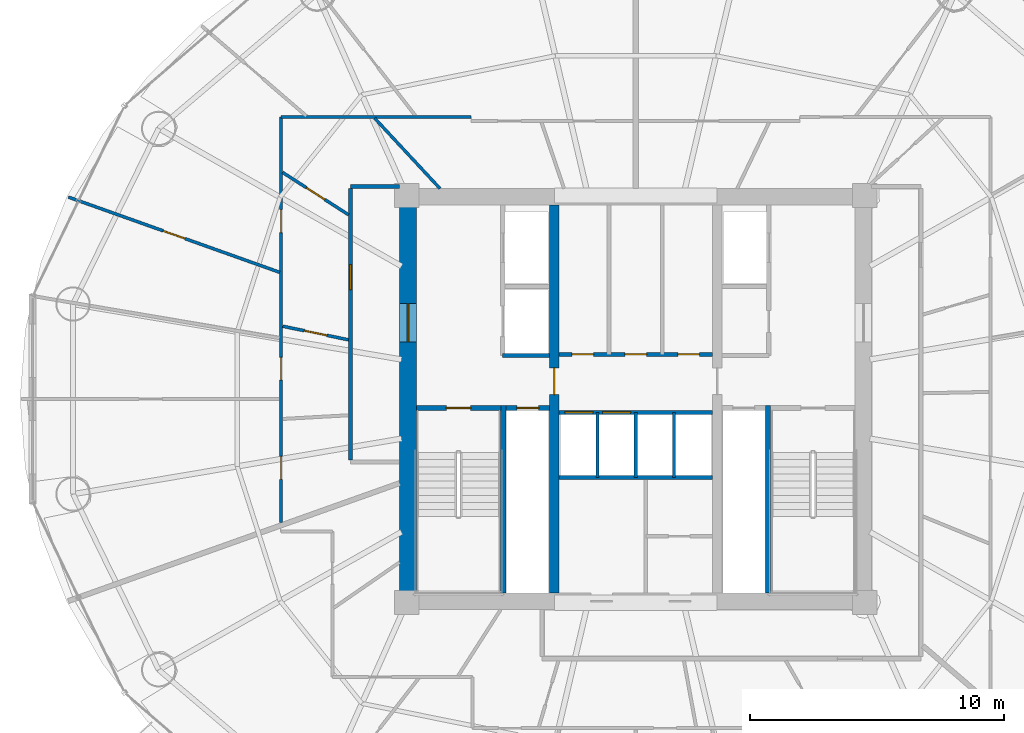
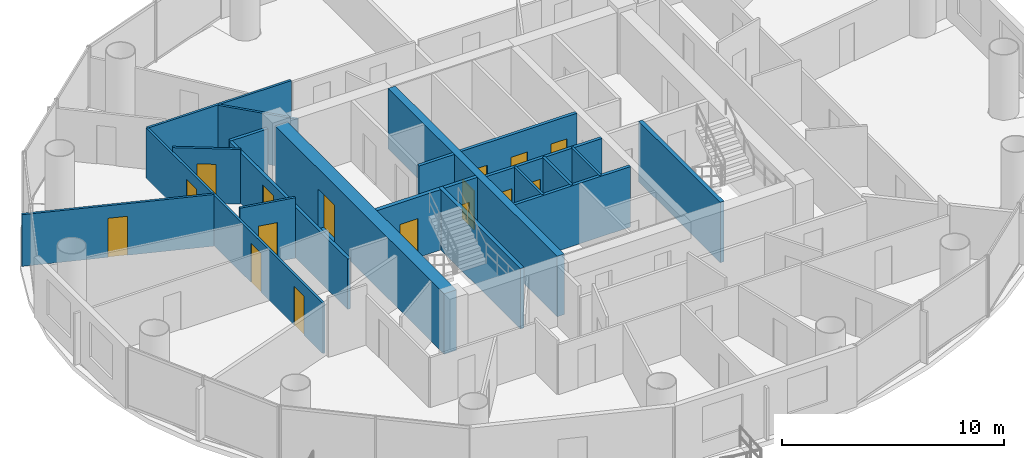
# One storey, part 22 of 27: 21 walls, 16 doors, 16 openings.
"""IFC4 building model written with IfcOpenShell, lengths in metres."""

from ifc_helpers import new_model, si_unit, direction, frame, frame_2d, origin, place, context, subcontext, project, spatial, rectangle, extrude, source, transform, mapped, material, layer, layer_set, type_object, element, fill, save


model = new_model("IFC4")

# Units and contexts
model_context = context("Model", 3, precision=1e-05, world=origin(), true_north=direction((-0.2419218956, 0.970295726276)))
body_context = subcontext(model_context, "Body", "Model", "MODEL_VIEW")
ifc_project = project(units=[si_unit("LENGTHUNIT", "METRE"), si_unit("AREAUNIT", "SQUARE_METRE"), si_unit("VOLUMEUNIT", "CUBIC_METRE"), si_unit("PLANEANGLEUNIT", "RADIAN"), si_unit("MASSUNIT", "GRAM", prefix="KILO")], contexts=[model_context])

# Site, building, storey
site_placement = place(None, origin())
site = spatial("IfcSite", under=ifc_project, at=site_placement, CompositionType="ELEMENT")
building_placement = place(site_placement, origin())
building = spatial("IfcBuilding", under=site, at=building_placement, Name="Cobrevalo Terracotta Tower", CompositionType="ELEMENT")
storey_placement = place(building_placement, frame((0.0, 0.0, 153.39990234375)))
storey = spatial("IfcBuildingStorey", under=building, at=storey_placement, Name="L40", CompositionType="ELEMENT", Elevation=153.39990234375)

# Wall, opening, door
ifc_material_1 = material(Name="Concrete C55", Category="concrete")
ifc_layer_1 = layer(ifc_material_1, 0.64990234375)
ifc_layer_set_1 = layer_set([ifc_layer_1], Name="Concrete C55")
wall_type_1 = type_object("IfcWallType", Name="Core shear wall 650 mm Concrete C55", PredefinedType="SHEAR", material=ifc_layer_set_1)
wall_1_placement = place(storey_placement, frame((29.050048828125, 19.175048828125, 0.0), z_axis=(0.0, 0.0, 1.0), x_axis=(0.0, 1.0, 0.0)))
wall_1 = element("IfcWall", 1, at=wall_1_placement, inside=storey, type_object=wall_type_1, Name="L40 west core shear wall", PredefinedType="SHEAR", context=body_context, shape_type="SweptSolid", body=[
    extrude(rectangle(XDim=15.25, YDim=0.64990234375, at=frame_2d((7.625, 0.0))), origin(), (0.0, 0.0, 1.0), 3.330078125),
])
opening_1_placement = place(wall_1_placement, frame((9.875, 0.0, 0.0)))
opening_1 = element("IfcOpeningElement", 2, at=opening_1_placement, cuts=wall_1, Name="Opening ID-14", PredefinedType="OPENING", context=body_context, shape_type="SweptSolid", body=[
    extrude(rectangle(XDim=1.5, YDim=2.199951171875, at=frame_2d((0.75, 1.10009765625))), frame((0.0, 0.3349609375, 0.0), z_axis=(0.0, -1.0, 0.0), x_axis=(1.0, 0.0, 0.0)), (0.0, 0.0, 1.0), 0.669921875),
])
ifc_material_2 = material(Name="Galvanized fire-rated steel", Category="steel")
door_type_1 = type_object("IfcDoorType", Name="Core cross-lobby double fire door 1500x2200 EI 90", OperationType="NOTDEFINED", PredefinedType="DOOR", material=ifc_material_2)
shared_shape_1 = source(origin(), body_context, "Body", "SweptSolid", [
    extrude(rectangle(XDim=1.5, YDim=2.199951171875, at=frame_2d((0.75, 1.10009765625))), frame((0.0, 0.02490234375, 0.0), z_axis=(0.0, -1.0, 0.0), x_axis=(1.0, 0.0, 0.0)), (0.0, 0.0, 1.0), 0.050048828125),
])
door_1_placement = place(opening_1_placement, origin())
door_1 = element("IfcDoor", 3, at=door_1_placement, inside=storey, type_object=door_type_1, Name="L40 west firefighting lobby entrance door", OperationType="DOUBLE_DOOR_SINGLE_SWING", OverallHeight=2.199951171875, OverallWidth=1.5, PredefinedType="DOOR", context=body_context, shape_type="MappedRepresentation", body=[
    mapped(shared_shape_1, transform((0.0, 0.0, 0.0), scale=1.0)),
])
fill(opening_1, door_1)

# Wall
ifc_material_3 = material(Name="Gypsum board on steel stud", Category="steel")
ifc_layer_2 = layer(ifc_material_3, 0.159912109375)
ifc_layer_set_2 = layer_set([ifc_layer_2], Name="Gypsum board on steel stud")
wall_type_2 = type_object("IfcWallType", Name="Fire-rated corridor acoustic partition wall 160 mm", PredefinedType="PARTITIONING", material=ifc_layer_set_2)
wall_2_placement = place(storey_placement, frame((32.77001953125, 28.52001953125, 0.0), z_axis=(0.0, 0.0, 1.0), x_axis=(1.0, 0.0, 0.0)))
element("IfcWall", 4, at=wall_2_placement, inside=storey, type_object=wall_type_2, Name="L40 interior partition IW-L40-FF1-S", PredefinedType="PARTITIONING", context=body_context, shape_type="SweptSolid", body=[
    extrude(rectangle(XDim=1.840087890625, YDim=0.159912109375, at=frame_2d((0.919921875, 0.0))), origin(), (0.0, 0.0, 1.0), 3.330078125),
])

# Wall, openings, doors
wall_3_placement = place(storey_placement, frame((34.989990234375, 28.56005859375, 0.0), z_axis=(0.0, 0.0, 1.0), x_axis=(1.0, 0.0, 0.0)))
wall_3 = element("IfcWall", 5, at=wall_3_placement, inside=storey, type_object=wall_type_2, Name="L40 interior partition IW-L40-LB-S", PredefinedType="PARTITIONING", context=body_context, shape_type="SweptSolid", body=[
    extrude(rectangle(XDim=6.02001953125, YDim=0.159912109375, at=frame_2d((3.010009765625, 0.0))), origin(), (0.0, 0.0, 1.0), 3.330078125),
])
opening_2_placement = place(wall_3_placement, frame((0.5048828125, 0.0, 0.0)))
opening_2 = element("IfcOpeningElement", 6, at=opening_2_placement, cuts=wall_3, Name="Opening ID-22", PredefinedType="OPENING", context=body_context, shape_type="SweptSolid", body=[
    extrude(rectangle(XDim=0.85009765625, YDim=2.10009765625, at=frame_2d((0.425048828125, 1.050048828125))), frame((0.0, 0.08984375, 0.0), z_axis=(0.0, -1.0, 0.0), x_axis=(1.0, 0.0, 0.0)), (0.0, 0.0, 1.0), 0.179931640625),
])
opening_3_placement = place(wall_3_placement, frame((2.580078125, 0.0, 0.0)))
opening_3 = element("IfcOpeningElement", 7, at=opening_3_placement, cuts=wall_3, Name="Opening ID-07", PredefinedType="OPENING", context=body_context, shape_type="SweptSolid", body=[
    extrude(rectangle(XDim=0.860107421875, YDim=2.10009765625, at=frame_2d((0.43017578125, 1.050048828125))), frame((0.0, 0.08984375, 0.0), z_axis=(0.0, -1.0, 0.0), x_axis=(1.0, 0.0, 0.0)), (0.0, 0.0, 1.0), 0.179931640625),
])
opening_4_placement = place(wall_3_placement, frame((4.6650390625, 0.0, 0.0)))
opening_4 = element("IfcOpeningElement", 8, at=opening_4_placement, cuts=wall_3, Name="Opening ID-22", PredefinedType="OPENING", context=body_context, shape_type="SweptSolid", body=[
    extrude(rectangle(XDim=0.85009765625, YDim=2.10009765625, at=frame_2d((0.425048828125, 1.050048828125))), frame((0.0, 0.08984375, 0.0), z_axis=(0.0, -1.0, 0.0), x_axis=(1.0, 0.0, 0.0)), (0.0, 0.0, 1.0), 0.179931640625),
])
ifc_material_4 = material(Name="Powder-coated steel", Category="steel")
door_type_2 = type_object("IfcDoorType", Name="Riser shaft & meter closet fire access door 850x2100 EI 60", OperationType="NOTDEFINED", PredefinedType="DOOR", material=ifc_material_4)
shared_shape_2 = source(origin(), body_context, "Body", "SweptSolid", [
    extrude(rectangle(XDim=0.85009765625, YDim=2.10009765625, at=frame_2d((0.425048828125, 1.050048828125))), frame((0.0, 0.02490234375, 0.0), z_axis=(0.0, -1.0, 0.0), x_axis=(1.0, 0.0, 0.0)), (0.0, 0.0, 1.0), 0.050048828125),
])
door_2_placement = place(opening_2_placement, origin())
door_2 = element("IfcDoor", 9, at=door_2_placement, inside=storey, type_object=door_type_2, Name="L40 core service door Housekeeping Linen Store", OperationType="SINGLE_SWING_LEFT", OverallHeight=2.10009765625, OverallWidth=0.85009765625, PredefinedType="DOOR", context=body_context, shape_type="MappedRepresentation", body=[
    mapped(shared_shape_2, transform((0.0, 0.0, 0.0), scale=1.0)),
])
fill(opening_2, door_2)
door_3_placement = place(opening_4_placement, origin())
door_3 = element("IfcDoor", 10, at=door_3_placement, inside=storey, type_object=door_type_2, Name="L40 core service door Floor BMS Mechanical Plant", OperationType="SINGLE_SWING_LEFT", OverallHeight=2.10009765625, OverallWidth=0.85009765625, PredefinedType="DOOR", context=body_context, shape_type="MappedRepresentation", body=[
    mapped(shared_shape_2, transform((0.0, 0.0, 0.0), scale=1.0)),
])
fill(opening_4, door_3)
ifc_material_5 = material(Name="Fire-rated moisture-sealed timber", Category="wood")
door_type_3 = type_object("IfcDoorType", Name="Core & podium fire-rated accessible WC door 860x2100 EI 60", OperationType="NOTDEFINED", PredefinedType="DOOR", material=ifc_material_5)
shared_shape_3 = source(origin(), body_context, "Body", "SweptSolid", [
    extrude(rectangle(XDim=0.860107421875, YDim=2.10009765625, at=frame_2d((0.43017578125, 1.050048828125))), frame((0.0, 0.02490234375, 0.0), z_axis=(0.0, -1.0, 0.0), x_axis=(1.0, 0.0, 0.0)), (0.0, 0.0, 1.0), 0.050048828125),
])
door_4_placement = place(opening_3_placement, origin())
door_4 = element("IfcDoor", 11, at=door_4_placement, inside=storey, type_object=door_type_3, Name="L40 core service door Floor Service Toilet WC", OperationType="SINGLE_SWING_RIGHT", OverallHeight=2.10009765625, OverallWidth=0.860107421875, PredefinedType="DOOR", context=body_context, shape_type="MappedRepresentation", body=[
    mapped(shared_shape_3, transform((0.0, 0.0, 0.0), scale=1.0)),
])
fill(opening_3, door_4)

wall_4_placement = place(storey_placement, frame((34.989990234375, 26.280029296875, 0.0), z_axis=(0.0, 0.0, 1.0), x_axis=(1.0, 0.0, 0.0)))
wall_4 = element("IfcWall", 12, at=wall_4_placement, inside=storey, type_object=wall_type_2, Name="L40 interior partition IW-L40-MB-N", PredefinedType="PARTITIONING", context=body_context, shape_type="SweptSolid", body=[
    extrude(rectangle(XDim=6.02001953125, YDim=0.159912109375, at=frame_2d((3.010009765625, 0.0))), origin(), (0.0, 0.0, 1.0), 3.330078125),
])
opening_5_placement = place(wall_4_placement, frame((0.22509765625, 0.0, 0.0)))
opening_5 = element("IfcOpeningElement", 13, at=opening_5_placement, cuts=wall_4, Name="Opening LD-01", PredefinedType="OPENING", context=body_context, shape_type="SweptSolid", body=[
    extrude(rectangle(XDim=1.10009765625, YDim=2.199951171875, at=frame_2d((0.550048828125, 1.10009765625))), frame((0.0, 0.08984375, 0.0), z_axis=(0.0, -1.0, 0.0), x_axis=(1.0, 0.0, 0.0)), (0.0, 0.0, 1.0), 0.179931640625),
])
opening_6_placement = place(wall_4_placement, frame((1.705078125, 0.0, 0.0)))
opening_6 = element("IfcOpeningElement", 14, at=opening_6_placement, cuts=wall_4, Name="Opening LD-01", PredefinedType="OPENING", context=body_context, shape_type="SweptSolid", body=[
    extrude(rectangle(XDim=1.10009765625, YDim=2.199951171875, at=frame_2d((0.550048828125, 1.10009765625))), frame((0.0, 0.08984375, 0.0), z_axis=(0.0, -1.0, 0.0), x_axis=(1.0, 0.0, 0.0)), (0.0, 0.0, 1.0), 0.179931640625),
])
ifc_material_6 = material(Name="Brushed stainless steel", Category="steel")
door_type_4 = type_object("IfcDoorType", Name="Passenger lift landing bi-parting sliding door 1100x2200 EI 90", OperationType="DOUBLE_DOOR_SLIDING", PredefinedType="DOOR", material=ifc_material_6)
shared_shape_4 = source(origin(), body_context, "Body", "SweptSolid", [
    extrude(rectangle(XDim=1.10009765625, YDim=2.199951171875, at=frame_2d((0.550048828125, 1.10009765625))), frame((0.0, 0.02490234375, 0.0), z_axis=(0.0, -1.0, 0.0), x_axis=(1.0, 0.0, 0.0)), (0.0, 0.0, 1.0), 0.050048828125),
])
door_5_placement = place(opening_5_placement, origin())
door_5 = element("IfcDoor", 15, at=door_5_placement, inside=storey, type_object=door_type_4, Name="L40 lift landing door PL-M1", OperationType="DOUBLE_DOOR_SLIDING", OverallHeight=2.199951171875, OverallWidth=1.10009765625, PredefinedType="DOOR", context=body_context, shape_type="MappedRepresentation", body=[
    mapped(shared_shape_4, transform((0.0, 0.0, 0.0), scale=1.0)),
])
fill(opening_5, door_5)
door_6_placement = place(opening_6_placement, origin())
door_6 = element("IfcDoor", 16, at=door_6_placement, inside=storey, type_object=door_type_4, Name="L40 lift landing door PL-M2", OperationType="DOUBLE_DOOR_SLIDING", OverallHeight=2.199951171875, OverallWidth=1.10009765625, PredefinedType="DOOR", context=body_context, shape_type="MappedRepresentation", body=[
    mapped(shared_shape_4, transform((0.0, 0.0, 0.0), scale=1.0)),
])
fill(opening_6, door_6)

# Wall
wall_5_placement = place(storey_placement, frame((34.989990234375, 23.719970703125, 0.0), z_axis=(0.0, 0.0, 1.0), x_axis=(1.0, 0.0, 0.0)))
element("IfcWall", 17, at=wall_5_placement, inside=storey, type_object=wall_type_2, Name="L40 interior partition IW-L40-MB-S", PredefinedType="PARTITIONING", context=body_context, shape_type="SweptSolid", body=[
    extrude(rectangle(XDim=6.02001953125, YDim=0.159912109375, at=frame_2d((3.010009765625, 0.0))), origin(), (0.0, 0.0, 1.0), 3.330078125),
])

# Wall, opening, door
wall_6_placement = place(storey_placement, frame((26.794921875, 24.39990234375, 0.0), z_axis=(0.0, 0.0, 1.0), x_axis=(0.0, 1.0, 0.0)))
wall_6 = element("IfcWall", 18, at=wall_6_placement, inside=storey, type_object=wall_type_2, Name="L40 interior partition IW-L40-COR-W", PredefinedType="PARTITIONING", context=body_context, shape_type="SweptSolid", body=[
    extrude(rectangle(XDim=10.675048828125, YDim=0.159912109375, at=frame_2d((5.33740234375, 0.0))), origin(), (0.0, 0.0, 1.0), 2.776123046875),
])
opening_7_placement = place(wall_6_placement, frame((6.702392578125, 0.0, 0.0)))
opening_7 = element("IfcOpeningElement", 19, at=opening_7_placement, cuts=wall_6, Name="Opening ID-05", PredefinedType="OPENING", context=body_context, shape_type="SweptSolid", body=[
    extrude(rectangle(XDim=0.97998046875, YDim=2.199951171875, at=frame_2d((0.489990234375, 1.10009765625))), frame((0.0, 0.08984375, 0.0), z_axis=(0.0, -1.0, 0.0), x_axis=(1.0, 0.0, 0.0)), (0.0, 0.0, 1.0), 0.179931640625),
])
ifc_material_7 = material(Name="Solid hardwood timber", Category="wood")
door_type_5 = type_object("IfcDoorType", Name="Residence entrance fire-rated acoustic timber door 980x2200 EI 60", OperationType="NOTDEFINED", PredefinedType="DOOR", material=ifc_material_7)
shared_shape_5 = source(origin(), body_context, "Body", "SweptSolid", [
    extrude(rectangle(XDim=0.97998046875, YDim=2.199951171875, at=frame_2d((0.489990234375, 1.10009765625))), frame((0.0, 0.02490234375, 0.0), z_axis=(0.0, -1.0, 0.0), x_axis=(1.0, 0.0, 0.0)), (0.0, 0.0, 1.0), 0.050048828125),
])
door_7_placement = place(opening_7_placement, origin())
door_7 = element("IfcDoor", 20, at=door_7_placement, inside=storey, type_object=door_type_5, Name="Flat L40A fire-rated apartment entrance door", OperationType="SINGLE_SWING_LEFT", OverallHeight=2.199951171875, OverallWidth=0.97998046875, PredefinedType="DOOR", context=body_context, shape_type="MappedRepresentation", body=[
    mapped(shared_shape_5, transform((0.0, 0.0, 0.0), scale=1.0)),
])
fill(opening_7, door_7)

# Wall
wall_7_placement = place(storey_placement, frame((26.794921875, 35.155029296875, 0.0), z_axis=(0.0, 0.0, 1.0), x_axis=(1.0, 0.0, 0.0)))
element("IfcWall", 21, at=wall_7_placement, inside=storey, type_object=wall_type_2, Name="L40 interior partition IW-L40-COR-WN-CAP", PredefinedType="PARTITIONING", context=body_context, shape_type="SweptSolid", body=[
    extrude(rectangle(XDim=1.93017578125, YDim=0.159912109375, at=frame_2d((0.965087890625, 0.0))), origin(), (0.0, 0.0, 1.0), 2.776123046875),
])

# Wall, opening, door
ifc_layer_3 = layer(ifc_material_3, 0.179931640625)
ifc_layer_set_3 = layer_set([ifc_layer_3], Name="Gypsum board on steel stud")
wall_type_3 = type_object("IfcWallType", Name="Fire-rated shaft & lobby acoustic partition wall 180 mm", PredefinedType="PARTITIONING", material=ifc_layer_set_3)
wall_8_placement = place(storey_placement, frame((32.89990234375, 26.449951171875, 0.0), z_axis=(0.0, 0.0, 1.0), x_axis=(1.0, 0.0, 0.0)))
wall_8 = element("IfcWall", 22, at=wall_8_placement, inside=storey, type_object=wall_type_3, Name="L40 interior partition IW-L40-RSW-N", PredefinedType="PARTITIONING", context=body_context, shape_type="SweptSolid", body=[
    extrude(rectangle(XDim=1.710205078125, YDim=0.179931640625, at=frame_2d((0.85498046875, 0.0))), origin(), (0.0, 0.0, 1.0), 3.330078125),
])
opening_8_placement = place(wall_8_placement, frame((0.429931640625, 0.0, 0.0)))
opening_8 = element("IfcOpeningElement", 23, at=opening_8_placement, cuts=wall_8, Name="Opening ID-22", PredefinedType="OPENING", context=body_context, shape_type="SweptSolid", body=[
    extrude(rectangle(XDim=0.85009765625, YDim=2.10009765625, at=frame_2d((0.425048828125, 1.050048828125))), frame((0.0, 0.10009765625, 0.0), z_axis=(0.0, -1.0, 0.0), x_axis=(1.0, 0.0, 0.0)), (0.0, 0.0, 1.0), 0.199951171875),
])
door_8_placement = place(opening_8_placement, origin())
door_8 = element("IfcDoor", 24, at=door_8_placement, inside=storey, type_object=door_type_2, Name="L40 riser access door RSW", OperationType="SINGLE_SWING_LEFT", OverallHeight=2.10009765625, OverallWidth=0.85009765625, PredefinedType="DOOR", context=body_context, shape_type="MappedRepresentation", body=[
    mapped(shared_shape_2, transform((0.0, 0.0, 0.0), scale=1.0)),
])
fill(opening_8, door_8)

# Walls
ifc_material_8 = material(Name="Autoclaved aerated concrete block", Category="concrete")
ifc_layer_4 = layer(ifc_material_8, 0.1201171875)
ifc_layer_set_4 = layer_set([ifc_layer_4], Name="Autoclaved aerated concrete block")
wall_type_4 = type_object("IfcWallType", Name="Fire-rated wet-room & core service partition 120 mm", PredefinedType="PARTITIONING", material=ifc_layer_set_4)
for number, where, z_axis, x_axis, name in (
    (25, (36.5, 23.719970703125, 0.0), (0.0, 0.0, 1.0), (0.0, 1.0, 0.0), "L40 interior partition IW-L40-MB-D1"),
    (26, (39.5, 23.719970703125, 0.0), (0.0, 0.0, 1.0), (0.0, 1.0, 0.0), "L40 interior partition IW-L40-MB-D3"),
):
    element("IfcWall", number, at=place(storey_placement, frame(where, z_axis=z_axis, x_axis=x_axis)), inside=storey, type_object=wall_type_4, Name=name, PredefinedType="PARTITIONING", context=body_context, shape_type="SweptSolid", body=[
        extrude(rectangle(XDim=2.56005859375, YDim=0.1201171875, at=frame_2d((1.280029296875, 0.0))), origin(), (0.0, 0.0, 1.0), 3.330078125),
    ])

# Wall, opening, door
ifc_material_9 = material(Name="Concrete C50", Category="concrete")
ifc_layer_5 = layer(ifc_material_9, 0.3798828125)
ifc_layer_set_5 = layer_set([ifc_layer_5], Name="Concrete C50")
wall_type_5 = type_object("IfcWallType", Name="Internal core shear web wall 380 mm Concrete C50", PredefinedType="SHEAR", material=ifc_layer_set_5)
wall_9_placement = place(storey_placement, frame((34.800048828125, 19.175048828125, 0.0), z_axis=(0.0, 0.0, 1.0), x_axis=(0.0, 1.0, 0.0)))
wall_9 = element("IfcWall", 27, at=wall_9_placement, inside=storey, type_object=wall_type_5, Name="L40 internal core shear wall WEB-W", PredefinedType="SHEAR", context=body_context, shape_type="SweptSolid", body=[
    extrude(rectangle(XDim=15.25, YDim=0.3798828125, at=frame_2d((7.625, 0.0))), origin(), (0.0, 0.0, 1.0), 3.330078125),
])
opening_9_placement = place(wall_9_placement, frame((7.800048828125, 0.0, 0.0)))
opening_9 = element("IfcOpeningElement", 28, at=opening_9_placement, cuts=wall_9, Name="Opening ID-11", PredefinedType="OPENING", context=body_context, shape_type="SweptSolid", body=[
    extrude(rectangle(XDim=1.050048828125, YDim=2.14990234375, at=frame_2d((0.52490234375, 1.074951171875))), frame((0.0, 0.199951171875, 0.0), z_axis=(0.0, -1.0, 0.0), x_axis=(1.0, 0.0, 0.0)), (0.0, 0.0, 1.0), 0.39990234375),
])
door_type_6 = type_object("IfcDoorType", Name="Core concourse cross fire door 1050x2150 EI 90", OperationType="NOTDEFINED", PredefinedType="DOOR", material=ifc_material_2)
shared_shape_6 = source(origin(), body_context, "Body", "SweptSolid", [
    extrude(rectangle(XDim=1.050048828125, YDim=2.14990234375, at=frame_2d((0.52490234375, 1.074951171875))), frame((0.0, 0.02490234375, 0.0), z_axis=(0.0, -1.0, 0.0), x_axis=(1.0, 0.0, 0.0)), (0.0, 0.0, 1.0), 0.050048828125),
])
door_9_placement = place(opening_9_placement, origin())
door_9 = element("IfcDoor", 29, at=door_9_placement, inside=storey, type_object=door_type_6, Name="L40 west core concourse cross door", OperationType="SINGLE_SWING_LEFT", OverallHeight=2.14990234375, OverallWidth=1.050048828125, PredefinedType="DOOR", context=body_context, shape_type="MappedRepresentation", body=[
    mapped(shared_shape_6, transform((0.0, 0.0, 0.0), scale=1.0)),
])
fill(opening_9, door_9)

# Wall
ifc_layer_6 = layer(ifc_material_8, 0.139892578125)
ifc_layer_set_6 = layer_set([ifc_layer_6], Name="Autoclaved aerated concrete block")
wall_type_6 = type_object("IfcWallType", Name="Moisture-resistant wet-room & core service partition 140 mm", PredefinedType="PARTITIONING", material=ifc_layer_set_6)
wall_10_placement = place(storey_placement, frame((38.0, 23.719970703125, 0.0), z_axis=(0.0, 0.0, 1.0), x_axis=(0.0, 1.0, 0.0)))
element("IfcWall", 30, at=wall_10_placement, inside=storey, type_object=wall_type_6, Name="L40 interior partition IW-L40-MB-D2", PredefinedType="PARTITIONING", context=body_context, shape_type="SweptSolid", body=[
    extrude(rectangle(XDim=2.56005859375, YDim=0.139892578125, at=frame_2d((1.280029296875, 0.0))), origin(), (0.0, 0.0, 1.0), 3.330078125),
])

# Wall, openings, doors
ifc_layer_7 = layer(ifc_material_3, 0.1201171875)
ifc_layer_set_7 = layer_set([ifc_layer_7], Name="Gypsum board on steel stud")
wall_type_7 = type_object("IfcWallType", Name="Residential internal acoustic stud partition 120 mm", PredefinedType="PARTITIONING", material=ifc_layer_set_7)
wall_11_placement = place(storey_placement, frame((24.06494140625, 21.94091796875, 0.0), z_axis=(0.0, 0.0, 1.0), x_axis=(0.0, 1.0, 0.0)))
wall_11 = element("IfcWall", 31, at=wall_11_placement, inside=storey, type_object=wall_type_7, Name="L40 interior partition IW-L40-U1-RING0_0", PredefinedType="PARTITIONING", context=body_context, shape_type="SweptSolid", body=[
    extrude(rectangle(XDim=15.944091796875, YDim=0.1201171875, at=frame_2d((7.97216796875, 0.0))), origin(), (0.0, 0.0, 1.0), 2.776123046875),
])
opening_10_placement = place(wall_11_placement, frame((5.60205078125, 0.0, 0.0)))
opening_10 = element("IfcOpeningElement", 32, at=opening_10_placement, cuts=wall_11, Name="Opening ID-12", PredefinedType="OPENING", context=body_context, shape_type="SweptSolid", body=[
    extrude(rectangle(XDim=0.89990234375, YDim=2.14990234375, at=frame_2d((0.449951171875, 1.074951171875))), frame((0.0, 0.070068359375, 0.0), z_axis=(0.0, -1.0, 0.0), x_axis=(1.0, 0.0, 0.0)), (0.0, 0.0, 1.0), 0.14013671875),
])
opening_11_placement = place(wall_11_placement, frame((1.707275390625, 0.0, 0.0)))
opening_11 = element("IfcOpeningElement", 33, at=opening_11_placement, cuts=wall_11, Name="Opening ID-12", PredefinedType="OPENING", context=body_context, shape_type="SweptSolid", body=[
    extrude(rectangle(XDim=0.89990234375, YDim=2.14990234375, at=frame_2d((0.449951171875, 1.074951171875))), frame((0.0, 0.070068359375, 0.0), z_axis=(0.0, -1.0, 0.0), x_axis=(1.0, 0.0, 0.0)), (0.0, 0.0, 1.0), 0.14013671875),
])
opening_12_placement = place(wall_11_placement, frame((11.401611328125, 0.0, 0.0)))
opening_12 = element("IfcOpeningElement", 34, at=opening_12_placement, cuts=wall_11, Name="Opening ID-12", PredefinedType="OPENING", context=body_context, shape_type="SweptSolid", body=[
    extrude(rectangle(XDim=0.89990234375, YDim=2.14990234375, at=frame_2d((0.449951171875, 1.074951171875))), frame((0.0, 0.070068359375, 0.0), z_axis=(0.0, -1.0, 0.0), x_axis=(1.0, 0.0, 0.0)), (0.0, 0.0, 1.0), 0.14013671875),
])
ifc_material_10 = material(Name="Engineered timber", Category="wood")
door_type_7 = type_object("IfcDoorType", Name="Internal residence & suite timber door 900x2150", OperationType="NOTDEFINED", PredefinedType="DOOR", material=ifc_material_10)
shared_shape_7 = source(origin(), body_context, "Body", "SweptSolid", [
    extrude(rectangle(XDim=0.89990234375, YDim=2.14990234375, at=frame_2d((0.449951171875, 1.074951171875))), frame((0.0, 0.02490234375, 0.0), z_axis=(0.0, -1.0, 0.0), x_axis=(1.0, 0.0, 0.0)), (0.0, 0.0, 1.0), 0.050048828125),
])
door_10_placement = place(opening_10_placement, origin())
door_10 = element("IfcDoor", 35, at=door_10_placement, inside=storey, type_object=door_type_7, Name="Flat L40A Penthouse Family Lounge internal door", OperationType="SINGLE_SWING_RIGHT", OverallHeight=2.14990234375, OverallWidth=0.89990234375, PredefinedType="DOOR", context=body_context, shape_type="MappedRepresentation", body=[
    mapped(shared_shape_7, transform((0.0, 0.0, 0.0), scale=1.0)),
])
fill(opening_10, door_10)
door_11_placement = place(opening_11_placement, frame((0.89990234375, 0.0, 0.0), z_axis=(0.0, 0.0, 1.0), x_axis=(-1.0, 0.0, 0.0)))
door_11 = element("IfcDoor", 36, at=door_11_placement, inside=storey, type_object=door_type_7, Name="Flat L40A Private Library Meeting Room internal door", OperationType="SINGLE_SWING_RIGHT", OverallHeight=2.14990234375, OverallWidth=0.89990234375, PredefinedType="DOOR", context=body_context, shape_type="MappedRepresentation", body=[
    mapped(shared_shape_7, transform((0.0, 0.0, 0.0), scale=1.0)),
])
fill(opening_11, door_11)
door_12_placement = place(opening_12_placement, origin())
door_12 = element("IfcDoor", 37, at=door_12_placement, inside=storey, type_object=door_type_7, Name="Flat L40A Principal Guest Bedroom internal door", OperationType="SINGLE_SWING_LEFT", OverallHeight=2.14990234375, OverallWidth=0.89990234375, PredefinedType="DOOR", context=body_context, shape_type="MappedRepresentation", body=[
    mapped(shared_shape_7, transform((0.0, 0.0, 0.0), scale=1.0)),
])
fill(opening_12, door_12)

# Wall
wall_12_placement = place(storey_placement, frame((24.06494140625, 37.885009765625, 0.0), z_axis=(0.0, 0.0, 1.0), x_axis=(1.0, 0.0, 0.0)))
element("IfcWall", 38, at=wall_12_placement, inside=storey, type_object=wall_type_7, Name="L40 interior partition IW-L40-U1-RING1_0", PredefinedType="PARTITIONING", context=body_context, shape_type="SweptSolid", body=[
    extrude(rectangle(XDim=7.469970703125, YDim=0.1201171875, at=frame_2d((3.73486328125, 0.0))), origin(), (0.0, 0.0, 1.0), 2.776123046875),
])

# Wall, opening, door
wall_13_placement = place(storey_placement, frame((24.006591796875, 31.781982421875, 0.0), z_axis=(0.0, 0.0, 1.0), x_axis=(-0.942077868165, 0.335394231187, 0.0)))
wall_13 = element("IfcWall", 39, at=wall_13_placement, inside=storey, type_object=wall_type_7, Name="L40 interior partition IW-L40-U1-ORAD2", PredefinedType="PARTITIONING", context=body_context, shape_type="SweptSolid", body=[
    extrude(rectangle(XDim=8.816650390625, YDim=0.1201171875, at=frame_2d((4.408203125, 0.0))), origin(), (0.0, 0.0, 1.0), 2.84619140625),
])
opening_13_placement = place(wall_13_placement, frame((3.95849609375, 0.0, 0.0)))
opening_13 = element("IfcOpeningElement", 40, at=opening_13_placement, cuts=wall_13, Name="Opening ID-12", PredefinedType="OPENING", context=body_context, shape_type="SweptSolid", body=[
    extrude(rectangle(XDim=0.89990234375, YDim=2.14990234375, at=frame_2d((0.449951171875, 1.074951171875))), frame((0.0, 0.070068359375, 0.0), z_axis=(0.0, -1.0, 0.0), x_axis=(1.0, 0.0, 0.0)), (0.0, 0.0, 1.0), 0.14013671875),
])
door_13_placement = place(opening_13_placement, origin())
door_13 = element("IfcDoor", 41, at=door_13_placement, inside=storey, type_object=door_type_7, Name="Flat L40A North Bedroom internal door", OperationType="SINGLE_SWING_RIGHT", OverallHeight=2.14990234375, OverallWidth=0.89990234375, PredefinedType="DOOR", context=body_context, shape_type="MappedRepresentation", body=[
    mapped(shared_shape_7, transform((0.0, 0.0, 0.0), scale=1.0)),
])
fill(opening_13, door_13)

# Wall
wall_14_placement = place(storey_placement, frame((30.307373046875, 35.074951171875, 0.0), z_axis=(0.0, 0.0, 1.0), x_axis=(-0.68082810609, 0.732443233267, 0.0)))
element("IfcWall", 42, at=wall_14_placement, inside=storey, type_object=wall_type_7, Name="L40 interior partition IW-L40-U1-IRAD2", PredefinedType="PARTITIONING", context=body_context, shape_type="SweptSolid", body=[
    extrude(rectangle(XDim=3.774658203125, YDim=0.1201171875, at=frame_2d((1.88720703125, 0.0))), origin(), (0.0, 0.0, 1.0), 2.776123046875),
])

# Wall, opening, door
wall_15_placement = place(storey_placement, frame((26.715087890625, 34.04296875, 0.0), z_axis=(0.0, 0.0, 1.0), x_axis=(-0.841597086151, 0.540105864235, 0.0)))
wall_15 = element("IfcWall", 43, at=wall_15_placement, inside=storey, type_object=wall_type_7, Name="L40 interior partition IW-L40-U1-IRAD3", PredefinedType="PARTITIONING", context=body_context, shape_type="SweptSolid", body=[
    extrude(rectangle(XDim=3.0869140625, YDim=0.1201171875, at=frame_2d((1.54345703125, 0.0))), origin(), (0.0, 0.0, 1.0), 3.005126953125),
])
opening_14_placement = place(wall_15_placement, frame((1.11328125, 0.0, 0.0)))
opening_14 = element("IfcOpeningElement", 44, at=opening_14_placement, cuts=wall_15, Name="Opening ID-19", PredefinedType="OPENING", context=body_context, shape_type="SweptSolid", body=[
    extrude(rectangle(XDim=0.860107421875, YDim=2.14990234375, at=frame_2d((0.43017578125, 1.074951171875))), frame((0.0, 0.070068359375, 0.0), z_axis=(0.0, -1.0, 0.0), x_axis=(1.0, 0.0, 0.0)), (0.0, 0.0, 1.0), 0.14013671875),
])
ifc_material_11 = material(Name="Moisture-sealed timber", Category="wood")
door_type_8 = type_object("IfcDoorType", Name="Suite bathroom internal timber door 860x2150", OperationType="NOTDEFINED", PredefinedType="DOOR", material=ifc_material_11)
shared_shape_8 = source(origin(), body_context, "Body", "SweptSolid", [
    extrude(rectangle(XDim=0.860107421875, YDim=2.14990234375, at=frame_2d((0.43017578125, 1.074951171875))), frame((0.0, 0.02490234375, 0.0), z_axis=(0.0, -1.0, 0.0), x_axis=(1.0, 0.0, 0.0)), (0.0, 0.0, 1.0), 0.050048828125),
])
door_14_placement = place(opening_14_placement, frame((0.860107421875, 0.0, 0.0), z_axis=(0.0, 0.0, 1.0), x_axis=(-1.0, 0.0, 0.0)))
door_14 = element("IfcDoor", 45, at=door_14_placement, inside=storey, type_object=door_type_8, Name="Flat L40A Primary Bathroom internal door", OperationType="SINGLE_SWING_RIGHT", OverallHeight=2.14990234375, OverallWidth=0.860107421875, PredefinedType="DOOR", context=body_context, shape_type="MappedRepresentation", body=[
    mapped(shared_shape_8, transform((0.0, 0.0, 0.0), scale=1.0)),
])
fill(opening_14, door_14)

wall_16_placement = place(storey_placement, frame((26.715087890625, 29.128662109375, 0.0), z_axis=(0.0, 0.0, 1.0), x_axis=(-0.979376501526, 0.202043728582, 0.0)))
wall_16 = element("IfcWall", 46, at=wall_16_placement, inside=storey, type_object=wall_type_7, Name="L40 interior partition IW-L40-U1-IRAD4", PredefinedType="PARTITIONING", context=body_context, shape_type="SweptSolid", body=[
    extrude(rectangle(XDim=2.643798828125, YDim=0.1201171875, at=frame_2d((1.32177734375, 0.0))), origin(), (0.0, 0.0, 1.0), 3.330078125),
])
opening_15_placement = place(wall_16_placement, frame((0.871826171875, 0.0, 0.0)))
opening_15 = element("IfcOpeningElement", 47, at=opening_15_placement, cuts=wall_16, Name="Opening ID-12", PredefinedType="OPENING", context=body_context, shape_type="SweptSolid", body=[
    extrude(rectangle(XDim=0.89990234375, YDim=2.14990234375, at=frame_2d((0.449951171875, 1.074951171875))), frame((0.0, 0.070068359375, 0.0), z_axis=(0.0, -1.0, 0.0), x_axis=(1.0, 0.0, 0.0)), (0.0, 0.0, 1.0), 0.14013671875),
])
door_15_placement = place(opening_15_placement, origin())
door_15 = element("IfcDoor", 48, at=door_15_placement, inside=storey, type_object=door_type_7, Name="Flat L40A Kitchen internal door", OperationType="SINGLE_SWING_LEFT", OverallHeight=2.14990234375, OverallWidth=0.89990234375, PredefinedType="DOOR", context=body_context, shape_type="MappedRepresentation", body=[
    mapped(shared_shape_7, transform((0.0, 0.0, 0.0), scale=1.0)),
])
fill(opening_15, door_15)

# Wall
ifc_layer_8 = layer(ifc_material_9, 0.199951171875)
ifc_layer_set_8 = layer_set([ifc_layer_8], Name="Concrete C50")
wall_type_8 = type_object("IfcWallType", Name="Structural core & podium stair-shaft RC wall 200 mm Concrete C50", PredefinedType="SOLIDWALL", material=ifc_layer_set_8)
wall_17_placement = place(storey_placement, frame((32.794921875, 19.175048828125, 0.0), z_axis=(0.0, 0.0, 1.0), x_axis=(0.0, 1.0, 0.0)))
element("IfcWall", 49, at=wall_17_placement, inside=storey, type_object=wall_type_8, Name="L40 ST-1 east structural shaft wall", PredefinedType="SOLIDWALL", context=body_context, shape_type="SweptSolid", body=[
    extrude(rectangle(XDim=7.375, YDim=0.199951171875, at=frame_2d((3.6875, 0.0))), origin(), (0.0, 0.0, 1.0), 3.330078125),
])

# Wall, opening, door
wall_18_placement = place(storey_placement, frame((29.375, 26.449951171875, 0.0), z_axis=(0.0, 0.0, 1.0), x_axis=(1.0, 0.0, 0.0)))
wall_18 = element("IfcWall", 50, at=wall_18_placement, inside=storey, type_object=wall_type_8, Name="L40 ST-1 north structural shaft wall", PredefinedType="SOLIDWALL", context=body_context, shape_type="SweptSolid", body=[
    extrude(rectangle(XDim=3.320068359375, YDim=0.199951171875, at=frame_2d((1.66015625, 0.0))), origin(), (0.0, 0.0, 1.0), 3.330078125),
])
opening_16_placement = place(wall_18_placement, frame((1.18505859375, 0.0, 0.0)))
opening_16 = element("IfcOpeningElement", 51, at=opening_16_placement, cuts=wall_18, Name="Opening ID-04", PredefinedType="OPENING", context=body_context, shape_type="SweptSolid", body=[
    extrude(rectangle(XDim=0.949951171875, YDim=2.14990234375, at=frame_2d((0.47509765625, 1.074951171875))), frame((0.0, 0.10986328125, 0.0), z_axis=(0.0, -1.0, 0.0), x_axis=(1.0, 0.0, 0.0)), (0.0, 0.0, 1.0), 0.219970703125),
])
door_type_9 = type_object("IfcDoorType", Name="Stair & firefighting lobby fire door 950x2150 EI 90", OperationType="NOTDEFINED", PredefinedType="DOOR", material=ifc_material_2)
shared_shape_9 = source(origin(), body_context, "Body", "SweptSolid", [
    extrude(rectangle(XDim=0.949951171875, YDim=2.14990234375, at=frame_2d((0.47509765625, 1.074951171875))), frame((0.0, 0.02490234375, 0.0), z_axis=(0.0, -1.0, 0.0), x_axis=(1.0, 0.0, 0.0)), (0.0, 0.0, 1.0), 0.050048828125),
])
door_16_placement = place(opening_16_placement, origin())
door_16 = element("IfcDoor", 52, at=door_16_placement, inside=storey, type_object=door_type_9, Name="L40 protected stair ST1 fire door", OperationType="SINGLE_SWING_LEFT", OverallHeight=2.14990234375, OverallWidth=0.949951171875, PredefinedType="DOOR", context=body_context, shape_type="MappedRepresentation", body=[
    mapped(shared_shape_9, transform((0.0, 0.0, 0.0), scale=1.0)),
])
fill(opening_16, door_16)

# Wall
wall_19_placement = place(storey_placement, frame((43.205078125, 19.175048828125, 0.0), z_axis=(0.0, 0.0, 1.0), x_axis=(0.0, 1.0, 0.0)))
element("IfcWall", 53, at=wall_19_placement, inside=storey, type_object=wall_type_8, Name="L40 ST-2 west structural shaft wall", PredefinedType="SOLIDWALL", context=body_context, shape_type="SweptSolid", body=[
    extrude(rectangle(XDim=7.375, YDim=0.199951171875, at=frame_2d((3.6875, 0.0))), origin(), (0.0, 0.0, 1.0), 3.330078125),
])

save(model, "model.ifc")
